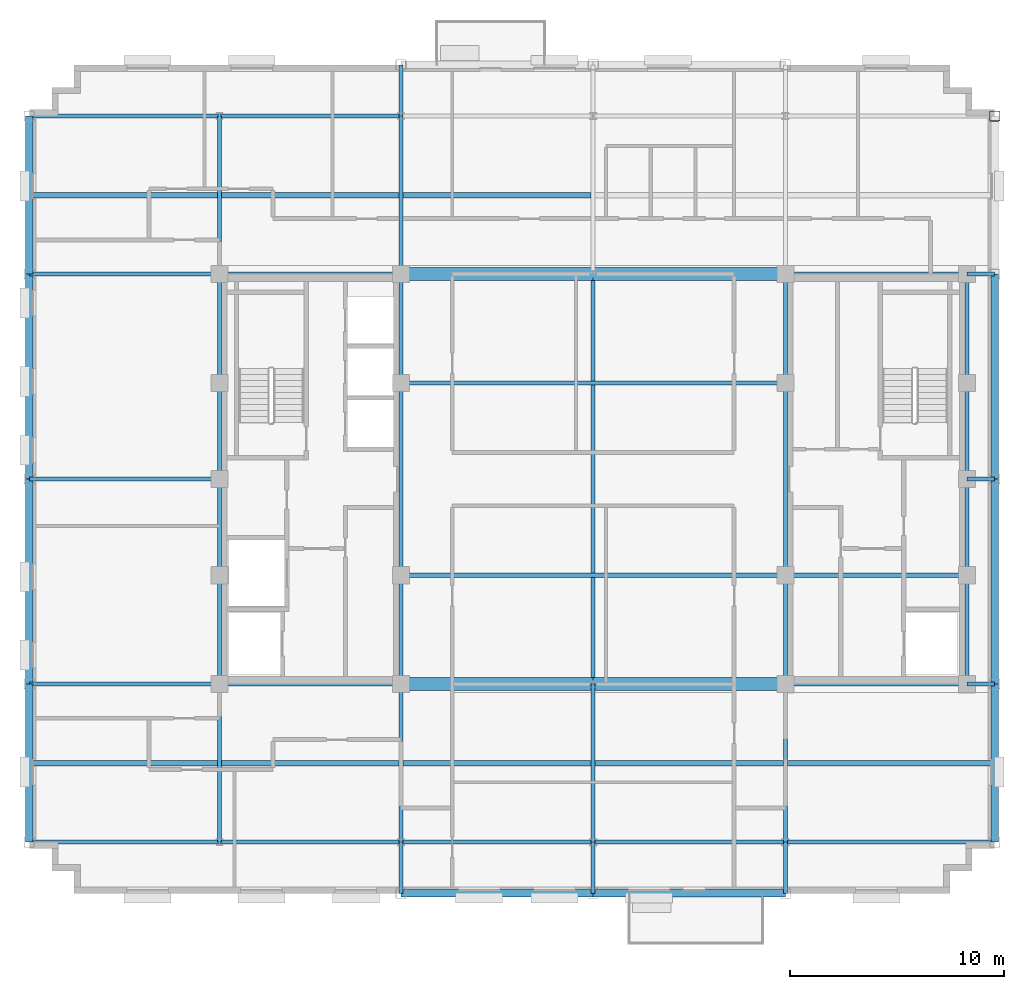
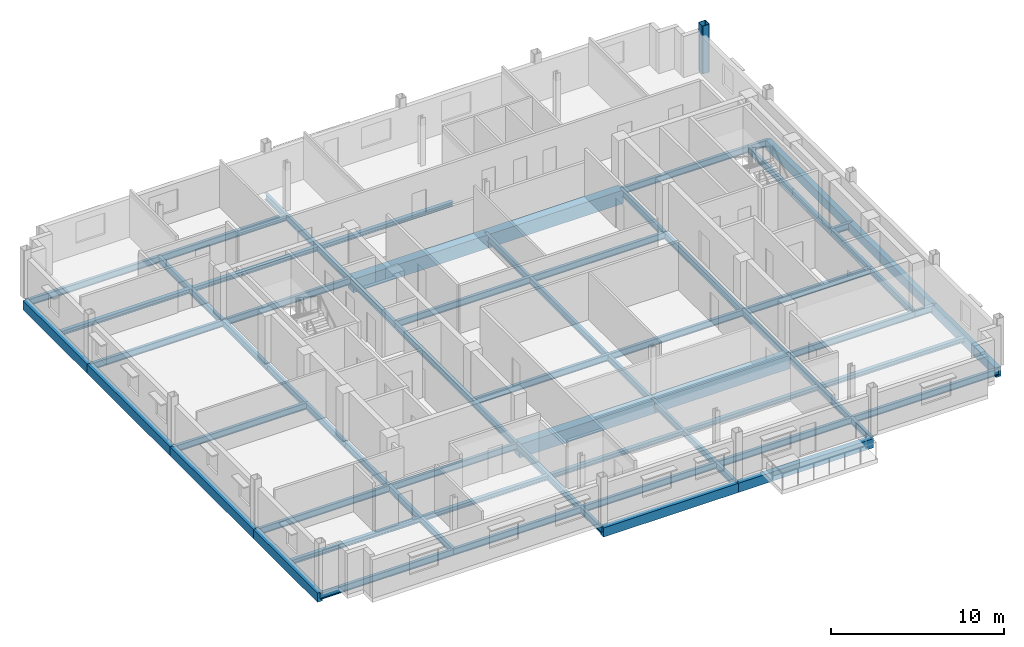
# One storey, part 4 of 13: 66 beams, 1 column.
"""IFC4 building model written with IfcOpenShell, lengths in metres."""

from ifc_helpers import new_model, si_unit, direction, frame, origin, origin_2d, place, context, subcontext, project, spatial, rectangle, hollow_rectangle, i_section, extrude, material, material_profile, profile_set, type_object, element, save


model = new_model("IFC4")

# Units and contexts
model_context = context("Model", 3, precision=1e-05, world=origin(), true_north=direction((0.0, 1.0)))
body_context = subcontext(model_context, "Body", "Model", "MODEL_VIEW")
ifc_project = project(units=[si_unit("LENGTHUNIT", "METRE"), si_unit("AREAUNIT", "SQUARE_METRE"), si_unit("VOLUMEUNIT", "CUBIC_METRE"), si_unit("PLANEANGLEUNIT", "RADIAN"), si_unit("MASSUNIT", "GRAM", prefix="KILO")], contexts=[model_context])

# Site, building, storey
site_placement = place(None, origin())
site = spatial("IfcSite", under=ifc_project, at=site_placement, CompositionType="ELEMENT")
building_placement = place(site_placement, origin())
building = spatial("IfcBuilding", under=site, at=building_placement, Name="Nuvemarco Arch Tower", CompositionType="ELEMENT")
storey_placement = place(building_placement, frame((0.0, 0.0, 231.050048828125)))
storey = spatial("IfcBuildingStorey", under=building, at=storey_placement, Name="L61", CompositionType="ELEMENT", Elevation=231.050048828125)

# Column
ifc_material_1 = material(Name="Steel S355", Category="steel")
ifc_material_profile_1 = material_profile(ifc_material_1, hollow_rectangle(XDim=0.5, YDim=0.5, WallThickness=0.031982421875, InnerFilletRadius=0.031982421875, OuterFilletRadius=0.06396484375, at=origin_2d()), Name="SHS500x500x32")
ifc_profile_set_1 = profile_set([ifc_material_profile_1], Name="Steel S355")
column_type = type_object("IfcColumnType", Name="COL-EXO-500", PredefinedType="COLUMN", material=ifc_profile_set_1)
column_placement = place(storey_placement, frame((18.800048828125, 17.0, 0.0), z_axis=(0.0, 0.0, 1.0), x_axis=(1.0, 0.0, 0.0)))
element("IfcColumn", 1, at=column_placement, inside=storey, type_object=column_type, Name="L61 column CX_+18.8_+17.0", PredefinedType="COLUMN", context=body_context, shape_type="SweptSolid", body=[
    extrude(hollow_rectangle(XDim=0.5, YDim=0.5, WallThickness=0.031982421875, InnerFilletRadius=0.031982421875, OuterFilletRadius=0.06396484375, at=origin_2d()), origin(), (0.0, 0.0, 1.0), 3.369873046875),
])

# Beams
ifc_material_2 = material(Name="Concrete C60/75", Category="concrete")
ifc_material_profile_2 = material_profile(ifc_material_2, rectangle(XDim=0.60009765625, YDim=0.949951171875, at=origin_2d()), Name="RC-BM-600x950")
ifc_profile_set_2 = profile_set([ifc_material_profile_2], Name="Concrete C60/75")
beam_type_1 = type_object("IfcBeamType", Name="BM-COUP-RC", PredefinedType="LINTEL", material=ifc_profile_set_2)
for number, where, z_axis, x_axis, name in (
    (2, (-9.0, -9.60009765625, -0.755126953125), (1.0, 0.0, 0.0), (0.0, 1.0, 0.0), "L61 structural beam BGEW_L61_0_-9.6_-9.0"),
    (3, (0.0, -9.60009765625, -0.755126953125), (1.0, 0.0, 0.0), (0.0, 1.0, 0.0), "L61 structural beam BGEW_L61_0_-9.6_+0.0"),
    (4, (-9.0, 9.60009765625, -0.755126953125), (1.0, 0.0, 0.0), (0.0, 1.0, 0.0), "L61 structural beam BGEW_L61_0_+9.6_-9.0"),
    (5, (0.0, 9.60009765625, -0.755126953125), (1.0, 0.0, 0.0), (0.0, 1.0, 0.0), "L61 structural beam BGEW_L61_0_+9.6_+0.0"),
):
    element("IfcBeam", number, at=place(storey_placement, frame(where, z_axis=z_axis, x_axis=x_axis)), inside=storey, type_object=beam_type_1, Name=name, PredefinedType="LINTEL", context=body_context, shape_type="SweptSolid", body=[
        extrude(rectangle(XDim=0.60009765625, YDim=0.949951171875, at=origin_2d()), origin(), (0.0, 0.0, 1.0), 9.0),
    ])
ifc_material_profile_3 = material_profile(ifc_material_1, i_section(OverallWidth=0.19189453125, OverallDepth=0.462890625, WebThickness=0.010498046875, FlangeThickness=0.017578125, FilletRadius=0.014892578125, at=origin_2d()), Name="W460x89")
ifc_profile_set_3 = profile_set([ifc_material_profile_3], Name="Steel S355")
beam_type_2 = type_object("IfcBeamType", Name="BM-GIRD-460", PredefinedType="BEAM", material=ifc_profile_set_3)
beam_1_placement = place(storey_placement, frame((-17.5, -17.0, -0.511474609375), z_axis=(0.0, 1.0, 0.0), x_axis=(-1.0, 0.0, 0.0)))
element("IfcBeam", 6, at=beam_1_placement, inside=storey, type_object=beam_type_2, Name="L61 structural beam BGNS_L61_0_-17.5_-17.0", PredefinedType="BEAM", context=body_context, shape_type="SweptSolid", body=[
    extrude(i_section(OverallWidth=0.19189453125, OverallDepth=0.462890625, WebThickness=0.010498046875, FlangeThickness=0.017578125, FilletRadius=0.014892578125, at=origin_2d()), origin(), (0.0, 0.0, 1.0), 7.39990234375),
])
beam_2_placement = place(storey_placement, frame((-17.5, -9.60009765625, -0.511474609375), z_axis=(0.0, 1.0, 0.0), x_axis=(-1.0, 0.0, 0.0)))
element("IfcBeam", 7, at=beam_2_placement, inside=storey, type_object=beam_type_2, Name="L61 structural beam BGNS_L61_0_-17.5_-9.6", PredefinedType="BEAM", context=body_context, shape_type="SweptSolid", body=[
    extrude(i_section(OverallWidth=0.19189453125, OverallDepth=0.462890625, WebThickness=0.010498046875, FlangeThickness=0.017578125, FilletRadius=0.014892578125, at=origin_2d()), origin(), (0.0, 0.0, 1.0), 5.10009765625),
])
for number, where, z_axis, x_axis, name in (
    (8, (-17.5, -4.5, -0.511474609375), (0.0, 1.0, 0.0), (-1.0, 0.0, 0.0), "L61 structural beam BGNS_L61_0_-17.5_-4.5"),
    (9, (-17.5, 0.0, -0.511474609375), (0.0, 1.0, 0.0), (-1.0, 0.0, 0.0), "L61 structural beam BGNS_L61_0_-17.5_+0.0"),
):
    element("IfcBeam", number, at=place(storey_placement, frame(where, z_axis=z_axis, x_axis=x_axis)), inside=storey, type_object=beam_type_2, Name=name, PredefinedType="BEAM", context=body_context, shape_type="SweptSolid", body=[
        extrude(i_section(OverallWidth=0.19189453125, OverallDepth=0.462890625, WebThickness=0.010498046875, FlangeThickness=0.017578125, FilletRadius=0.014892578125, at=origin_2d()), origin(), (0.0, 0.0, 1.0), 4.5),
    ])
beam_3_placement = place(storey_placement, frame((-17.5, 4.5, -0.511474609375), z_axis=(0.0, 1.0, 0.0), x_axis=(-1.0, 0.0, 0.0)))
element("IfcBeam", 10, at=beam_3_placement, inside=storey, type_object=beam_type_2, Name="L61 structural beam BGNS_L61_0_-17.5_+4.5", PredefinedType="BEAM", context=body_context, shape_type="SweptSolid", body=[
    extrude(i_section(OverallWidth=0.19189453125, OverallDepth=0.462890625, WebThickness=0.010498046875, FlangeThickness=0.017578125, FilletRadius=0.014892578125, at=origin_2d()), origin(), (0.0, 0.0, 1.0), 5.10009765625),
])
beam_4_placement = place(storey_placement, frame((-17.5, 9.60009765625, -0.511474609375), z_axis=(0.0, 1.0, 0.0), x_axis=(-1.0, 0.0, 0.0)))
element("IfcBeam", 11, at=beam_4_placement, inside=storey, type_object=beam_type_2, Name="L61 structural beam BGNS_L61_0_-17.5_+9.6", PredefinedType="BEAM", context=body_context, shape_type="SweptSolid", body=[
    extrude(i_section(OverallWidth=0.19189453125, OverallDepth=0.462890625, WebThickness=0.010498046875, FlangeThickness=0.017578125, FilletRadius=0.014892578125, at=origin_2d()), origin(), (0.0, 0.0, 1.0), 7.39990234375),
])
beam_5_placement = place(storey_placement, frame((-9.0, -19.39990234375, -0.511474609375), z_axis=(0.0, 1.0, 0.0), x_axis=(-1.0, 0.0, 0.0)))
element("IfcBeam", 12, at=beam_5_placement, inside=storey, type_object=beam_type_2, Name="L61 structural beam BGNS_L61_0_-9.0_-19.4", PredefinedType="BEAM", context=body_context, shape_type="SweptSolid", body=[
    extrude(i_section(OverallWidth=0.19189453125, OverallDepth=0.462890625, WebThickness=0.010498046875, FlangeThickness=0.017578125, FilletRadius=0.014892578125, at=origin_2d()), origin(), (0.0, 0.0, 1.0), 2.39990234375),
])
beam_6_placement = place(storey_placement, frame((-9.0, -17.0, -0.511474609375), z_axis=(0.0, 1.0, 0.0), x_axis=(-1.0, 0.0, 0.0)))
element("IfcBeam", 13, at=beam_6_placement, inside=storey, type_object=beam_type_2, Name="L61 structural beam BGNS_L61_0_-9.0_-17.0", PredefinedType="BEAM", context=body_context, shape_type="SweptSolid", body=[
    extrude(i_section(OverallWidth=0.19189453125, OverallDepth=0.462890625, WebThickness=0.010498046875, FlangeThickness=0.017578125, FilletRadius=0.014892578125, at=origin_2d()), origin(), (0.0, 0.0, 1.0), 7.39990234375),
])
beam_7_placement = place(storey_placement, frame((-9.0, -9.60009765625, -0.511474609375), z_axis=(0.0, 1.0, 0.0), x_axis=(-1.0, 0.0, 0.0)))
element("IfcBeam", 14, at=beam_7_placement, inside=storey, type_object=beam_type_2, Name="L61 structural beam BGNS_L61_0_-9.0_-9.6", PredefinedType="BEAM", context=body_context, shape_type="SweptSolid", body=[
    extrude(i_section(OverallWidth=0.19189453125, OverallDepth=0.462890625, WebThickness=0.010498046875, FlangeThickness=0.017578125, FilletRadius=0.014892578125, at=origin_2d()), origin(), (0.0, 0.0, 1.0), 5.10009765625),
])
beam_8_placement = place(storey_placement, frame((-9.0, -4.5, -0.511474609375), z_axis=(0.0, 1.0, 0.0), x_axis=(-1.0, 0.0, 0.0)))
element("IfcBeam", 15, at=beam_8_placement, inside=storey, type_object=beam_type_2, Name="L61 structural beam BGNS_L61_0_-9.0_-4.5", PredefinedType="BEAM", context=body_context, shape_type="SweptSolid", body=[
    extrude(i_section(OverallWidth=0.19189453125, OverallDepth=0.462890625, WebThickness=0.010498046875, FlangeThickness=0.017578125, FilletRadius=0.014892578125, at=origin_2d()), origin(), (0.0, 0.0, 1.0), 9.0),
])
beam_9_placement = place(storey_placement, frame((-9.0, 4.5, -0.511474609375), z_axis=(0.0, 1.0, 0.0), x_axis=(-1.0, 0.0, 0.0)))
element("IfcBeam", 16, at=beam_9_placement, inside=storey, type_object=beam_type_2, Name="L61 structural beam BGNS_L61_0_-9.0_+4.5", PredefinedType="BEAM", context=body_context, shape_type="SweptSolid", body=[
    extrude(i_section(OverallWidth=0.19189453125, OverallDepth=0.462890625, WebThickness=0.010498046875, FlangeThickness=0.017578125, FilletRadius=0.014892578125, at=origin_2d()), origin(), (0.0, 0.0, 1.0), 5.10009765625),
])
beam_10_placement = place(storey_placement, frame((-9.0, 9.60009765625, -0.511474609375), z_axis=(0.0, 1.0, 0.0), x_axis=(-1.0, 0.0, 0.0)))
element("IfcBeam", 17, at=beam_10_placement, inside=storey, type_object=beam_type_2, Name="L61 structural beam BGNS_L61_0_-9.0_+9.6", PredefinedType="BEAM", context=body_context, shape_type="SweptSolid", body=[
    extrude(i_section(OverallWidth=0.19189453125, OverallDepth=0.462890625, WebThickness=0.010498046875, FlangeThickness=0.017578125, FilletRadius=0.014892578125, at=origin_2d()), origin(), (0.0, 0.0, 1.0), 7.39990234375),
])
for number, where, z_axis, x_axis, name in (
    (18, (-9.0, 17.0, -0.511474609375), (0.0, 1.0, 0.0), (-1.0, 0.0, 0.0), "L61 structural beam BGNS_L61_0_-9.0_+17.0"),
    (19, (0.0, -19.39990234375, -0.511474609375), (0.0, 1.0, 0.0), (-1.0, 0.0, 0.0), "L61 structural beam BGNS_L61_0_+0.0_-19.4"),
):
    element("IfcBeam", number, at=place(storey_placement, frame(where, z_axis=z_axis, x_axis=x_axis)), inside=storey, type_object=beam_type_2, Name=name, PredefinedType="BEAM", context=body_context, shape_type="SweptSolid", body=[
        extrude(i_section(OverallWidth=0.19189453125, OverallDepth=0.462890625, WebThickness=0.010498046875, FlangeThickness=0.017578125, FilletRadius=0.014892578125, at=origin_2d()), origin(), (0.0, 0.0, 1.0), 2.39990234375),
    ])
beam_11_placement = place(storey_placement, frame((0.0, -17.0, -0.511474609375), z_axis=(0.0, 1.0, 0.0), x_axis=(-1.0, 0.0, 0.0)))
element("IfcBeam", 20, at=beam_11_placement, inside=storey, type_object=beam_type_2, Name="L61 structural beam BGNS_L61_0_+0.0_-17.0", PredefinedType="BEAM", context=body_context, shape_type="SweptSolid", body=[
    extrude(i_section(OverallWidth=0.19189453125, OverallDepth=0.462890625, WebThickness=0.010498046875, FlangeThickness=0.017578125, FilletRadius=0.014892578125, at=origin_2d()), origin(), (0.0, 0.0, 1.0), 7.39990234375),
])
beam_12_placement = place(storey_placement, frame((0.0, -9.60009765625, -0.511474609375), z_axis=(0.0, 1.0, 0.0), x_axis=(-1.0, 0.0, 0.0)))
element("IfcBeam", 21, at=beam_12_placement, inside=storey, type_object=beam_type_2, Name="L61 structural beam BGNS_L61_0_+0.0_-9.6", PredefinedType="BEAM", context=body_context, shape_type="SweptSolid", body=[
    extrude(i_section(OverallWidth=0.19189453125, OverallDepth=0.462890625, WebThickness=0.010498046875, FlangeThickness=0.017578125, FilletRadius=0.014892578125, at=origin_2d()), origin(), (0.0, 0.0, 1.0), 19.2001953125),
])
beam_13_placement = place(storey_placement, frame((9.0, -19.39990234375, -0.511474609375), z_axis=(0.0, 1.0, 0.0), x_axis=(-1.0, 0.0, 0.0)))
element("IfcBeam", 22, at=beam_13_placement, inside=storey, type_object=beam_type_2, Name="L61 structural beam BGNS_L61_0_+9.0_-19.4", PredefinedType="BEAM", context=body_context, shape_type="SweptSolid", body=[
    extrude(i_section(OverallWidth=0.19189453125, OverallDepth=0.462890625, WebThickness=0.010498046875, FlangeThickness=0.017578125, FilletRadius=0.014892578125, at=origin_2d()), origin(), (0.0, 0.0, 1.0), 2.39990234375),
])
beam_14_placement = place(storey_placement, frame((9.0, -17.0, -0.511474609375), z_axis=(0.0, 1.0, 0.0), x_axis=(-1.0, 0.0, 0.0)))
element("IfcBeam", 23, at=beam_14_placement, inside=storey, type_object=beam_type_2, Name="L61 structural beam BGNS_L61_0_+9.0_-17.0", PredefinedType="BEAM", context=body_context, shape_type="SweptSolid", body=[
    extrude(i_section(OverallWidth=0.19189453125, OverallDepth=0.462890625, WebThickness=0.010498046875, FlangeThickness=0.017578125, FilletRadius=0.014892578125, at=origin_2d()), origin(), (0.0, 0.0, 1.0), 7.39990234375),
])
beam_15_placement = place(storey_placement, frame((9.0, -9.60009765625, -0.511474609375), z_axis=(0.0, 1.0, 0.0), x_axis=(-1.0, 0.0, 0.0)))
element("IfcBeam", 24, at=beam_15_placement, inside=storey, type_object=beam_type_2, Name="L61 structural beam BGNS_L61_0_+9.0_-9.6", PredefinedType="BEAM", context=body_context, shape_type="SweptSolid", body=[
    extrude(i_section(OverallWidth=0.19189453125, OverallDepth=0.462890625, WebThickness=0.010498046875, FlangeThickness=0.017578125, FilletRadius=0.014892578125, at=origin_2d()), origin(), (0.0, 0.0, 1.0), 5.10009765625),
])
beam_16_placement = place(storey_placement, frame((9.0, -4.5, -0.511474609375), z_axis=(0.0, 1.0, 0.0), x_axis=(-1.0, 0.0, 0.0)))
element("IfcBeam", 25, at=beam_16_placement, inside=storey, type_object=beam_type_2, Name="L61 structural beam BGNS_L61_0_+9.0_-4.5", PredefinedType="BEAM", context=body_context, shape_type="SweptSolid", body=[
    extrude(i_section(OverallWidth=0.19189453125, OverallDepth=0.462890625, WebThickness=0.010498046875, FlangeThickness=0.017578125, FilletRadius=0.014892578125, at=origin_2d()), origin(), (0.0, 0.0, 1.0), 9.0),
])
for number, where, z_axis, x_axis, name in (
    (26, (9.0, 4.5, -0.511474609375), (0.0, 1.0, 0.0), (-1.0, 0.0, 0.0), "L61 structural beam BGNS_L61_0_+9.0_+4.5"),
    (27, (17.5, -9.60009765625, -0.511474609375), (0.0, 1.0, 0.0), (-1.0, 0.0, 0.0), "L61 structural beam BGNS_L61_0_+17.5_-9.6"),
):
    element("IfcBeam", number, at=place(storey_placement, frame(where, z_axis=z_axis, x_axis=x_axis)), inside=storey, type_object=beam_type_2, Name=name, PredefinedType="BEAM", context=body_context, shape_type="SweptSolid", body=[
        extrude(i_section(OverallWidth=0.19189453125, OverallDepth=0.462890625, WebThickness=0.010498046875, FlangeThickness=0.017578125, FilletRadius=0.014892578125, at=origin_2d()), origin(), (0.0, 0.0, 1.0), 5.10009765625),
    ])
for number, where, z_axis, x_axis, name in (
    (28, (17.5, -4.5, -0.511474609375), (0.0, 1.0, 0.0), (-1.0, 0.0, 0.0), "L61 structural beam BGNS_L61_0_+17.5_-4.5"),
    (29, (17.5, 0.0, -0.511474609375), (0.0, 1.0, 0.0), (-1.0, 0.0, 0.0), "L61 structural beam BGNS_L61_0_+17.5_+0.0"),
):
    element("IfcBeam", number, at=place(storey_placement, frame(where, z_axis=z_axis, x_axis=x_axis)), inside=storey, type_object=beam_type_2, Name=name, PredefinedType="BEAM", context=body_context, shape_type="SweptSolid", body=[
        extrude(i_section(OverallWidth=0.19189453125, OverallDepth=0.462890625, WebThickness=0.010498046875, FlangeThickness=0.017578125, FilletRadius=0.014892578125, at=origin_2d()), origin(), (0.0, 0.0, 1.0), 4.5),
    ])
beam_17_placement = place(storey_placement, frame((17.5, 4.5, -0.511474609375), z_axis=(0.0, 1.0, 0.0), x_axis=(-1.0, 0.0, 0.0)))
element("IfcBeam", 30, at=beam_17_placement, inside=storey, type_object=beam_type_2, Name="L61 structural beam BGNS_L61_0_+17.5_+4.5", PredefinedType="BEAM", context=body_context, shape_type="SweptSolid", body=[
    extrude(i_section(OverallWidth=0.19189453125, OverallDepth=0.462890625, WebThickness=0.010498046875, FlangeThickness=0.017578125, FilletRadius=0.014892578125, at=origin_2d()), origin(), (0.0, 0.0, 1.0), 5.10009765625),
])
beam_18_placement = place(storey_placement, frame((-26.39990234375, -17.0, -0.511474609375), z_axis=(1.0, 0.0, 0.0), x_axis=(0.0, 1.0, 0.0)))
element("IfcBeam", 31, at=beam_18_placement, inside=storey, type_object=beam_type_2, Name="L61 structural beam BGEW_L61_0_-17.0_-26.4", PredefinedType="BEAM", context=body_context, shape_type="SweptSolid", body=[
    extrude(i_section(OverallWidth=0.19189453125, OverallDepth=0.462890625, WebThickness=0.010498046875, FlangeThickness=0.017578125, FilletRadius=0.014892578125, at=origin_2d()), origin(), (0.0, 0.0, 1.0), 8.89990234375),
])
beam_19_placement = place(storey_placement, frame((-17.5, -17.0, -0.511474609375), z_axis=(1.0, 0.0, 0.0), x_axis=(0.0, 1.0, 0.0)))
element("IfcBeam", 32, at=beam_19_placement, inside=storey, type_object=beam_type_2, Name="L61 structural beam BGEW_L61_0_-17.0_-17.5", PredefinedType="BEAM", context=body_context, shape_type="SweptSolid", body=[
    extrude(i_section(OverallWidth=0.19189453125, OverallDepth=0.462890625, WebThickness=0.010498046875, FlangeThickness=0.017578125, FilletRadius=0.014892578125, at=origin_2d()), origin(), (0.0, 0.0, 1.0), 8.5),
])
for number, where, z_axis, x_axis, name in (
    (33, (-9.0, -17.0, -0.511474609375), (1.0, 0.0, 0.0), (0.0, 1.0, 0.0), "L61 structural beam BGEW_L61_0_-17.0_-9.0"),
    (34, (0.0, -17.0, -0.511474609375), (1.0, 0.0, 0.0), (0.0, 1.0, 0.0), "L61 structural beam BGEW_L61_0_-17.0_+0.0"),
):
    element("IfcBeam", number, at=place(storey_placement, frame(where, z_axis=z_axis, x_axis=x_axis)), inside=storey, type_object=beam_type_2, Name=name, PredefinedType="BEAM", context=body_context, shape_type="SweptSolid", body=[
        extrude(i_section(OverallWidth=0.19189453125, OverallDepth=0.462890625, WebThickness=0.010498046875, FlangeThickness=0.017578125, FilletRadius=0.014892578125, at=origin_2d()), origin(), (0.0, 0.0, 1.0), 9.0),
    ])
beam_20_placement = place(storey_placement, frame((9.0, -17.0, -0.511474609375), z_axis=(1.0, 0.0, 0.0), x_axis=(0.0, 1.0, 0.0)))
element("IfcBeam", 35, at=beam_20_placement, inside=storey, type_object=beam_type_2, Name="L61 structural beam BGEW_L61_0_-17.0_+9.0", PredefinedType="BEAM", context=body_context, shape_type="SweptSolid", body=[
    extrude(i_section(OverallWidth=0.19189453125, OverallDepth=0.462890625, WebThickness=0.010498046875, FlangeThickness=0.017578125, FilletRadius=0.014892578125, at=origin_2d()), origin(), (0.0, 0.0, 1.0), 9.800048828125),
])
beam_21_placement = place(storey_placement, frame((-26.39990234375, -9.60009765625, -0.511474609375), z_axis=(1.0, 0.0, 0.0), x_axis=(0.0, 1.0, 0.0)))
element("IfcBeam", 36, at=beam_21_placement, inside=storey, type_object=beam_type_2, Name="L61 structural beam BGEW_L61_0_-9.6_-26.4", PredefinedType="BEAM", context=body_context, shape_type="SweptSolid", body=[
    extrude(i_section(OverallWidth=0.19189453125, OverallDepth=0.462890625, WebThickness=0.010498046875, FlangeThickness=0.017578125, FilletRadius=0.014892578125, at=origin_2d()), origin(), (0.0, 0.0, 1.0), 8.89990234375),
])
for number, where, z_axis, x_axis, name in (
    (37, (-17.5, -9.60009765625, -0.511474609375), (1.0, 0.0, 0.0), (0.0, 1.0, 0.0), "L61 structural beam BGEW_L61_0_-9.6_-17.5"),
    (38, (9.0, -9.60009765625, -0.511474609375), (1.0, 0.0, 0.0), (0.0, 1.0, 0.0), "L61 structural beam BGEW_L61_0_-9.6_+9.0"),
):
    element("IfcBeam", number, at=place(storey_placement, frame(where, z_axis=z_axis, x_axis=x_axis)), inside=storey, type_object=beam_type_2, Name=name, PredefinedType="BEAM", context=body_context, shape_type="SweptSolid", body=[
        extrude(i_section(OverallWidth=0.19189453125, OverallDepth=0.462890625, WebThickness=0.010498046875, FlangeThickness=0.017578125, FilletRadius=0.014892578125, at=origin_2d()), origin(), (0.0, 0.0, 1.0), 8.5),
    ])
beam_22_placement = place(storey_placement, frame((17.5, -9.60009765625, -0.511474609375), z_axis=(1.0, 0.0, 0.0), x_axis=(0.0, 1.0, 0.0)))
element("IfcBeam", 39, at=beam_22_placement, inside=storey, type_object=beam_type_2, Name="L61 structural beam BGEW_L61_0_-9.6_+17.5", PredefinedType="BEAM", context=body_context, shape_type="SweptSolid", body=[
    extrude(i_section(OverallWidth=0.19189453125, OverallDepth=0.462890625, WebThickness=0.010498046875, FlangeThickness=0.017578125, FilletRadius=0.014892578125, at=origin_2d()), origin(), (0.0, 0.0, 1.0), 1.300048828125),
])
beam_23_placement = place(storey_placement, frame((-9.0, -4.5, -0.511474609375), z_axis=(1.0, 0.0, 0.0), x_axis=(0.0, 1.0, 0.0)))
element("IfcBeam", 40, at=beam_23_placement, inside=storey, type_object=beam_type_2, Name="L61 structural beam BGEW_L61_0_-4.5_-9.0", PredefinedType="BEAM", context=body_context, shape_type="SweptSolid", body=[
    extrude(i_section(OverallWidth=0.19189453125, OverallDepth=0.462890625, WebThickness=0.010498046875, FlangeThickness=0.017578125, FilletRadius=0.014892578125, at=origin_2d()), origin(), (0.0, 0.0, 1.0), 18.0),
])
beam_24_placement = place(storey_placement, frame((9.0, -4.5, -0.511474609375), z_axis=(1.0, 0.0, 0.0), x_axis=(0.0, 1.0, 0.0)))
element("IfcBeam", 41, at=beam_24_placement, inside=storey, type_object=beam_type_2, Name="L61 structural beam BGEW_L61_0_-4.5_+9.0", PredefinedType="BEAM", context=body_context, shape_type="SweptSolid", body=[
    extrude(i_section(OverallWidth=0.19189453125, OverallDepth=0.462890625, WebThickness=0.010498046875, FlangeThickness=0.017578125, FilletRadius=0.014892578125, at=origin_2d()), origin(), (0.0, 0.0, 1.0), 8.5),
])
beam_25_placement = place(storey_placement, frame((-26.39990234375, 0.0, -0.511474609375), z_axis=(1.0, 0.0, 0.0), x_axis=(0.0, 1.0, 0.0)))
element("IfcBeam", 42, at=beam_25_placement, inside=storey, type_object=beam_type_2, Name="L61 structural beam BGEW_L61_0_+0.0_-26.4", PredefinedType="BEAM", context=body_context, shape_type="SweptSolid", body=[
    extrude(i_section(OverallWidth=0.19189453125, OverallDepth=0.462890625, WebThickness=0.010498046875, FlangeThickness=0.017578125, FilletRadius=0.014892578125, at=origin_2d()), origin(), (0.0, 0.0, 1.0), 8.89990234375),
])
beam_26_placement = place(storey_placement, frame((17.5, 0.0, -0.511474609375), z_axis=(1.0, 0.0, 0.0), x_axis=(0.0, 1.0, 0.0)))
element("IfcBeam", 43, at=beam_26_placement, inside=storey, type_object=beam_type_2, Name="L61 structural beam BGEW_L61_0_+0.0_+17.5", PredefinedType="BEAM", context=body_context, shape_type="SweptSolid", body=[
    extrude(i_section(OverallWidth=0.19189453125, OverallDepth=0.462890625, WebThickness=0.010498046875, FlangeThickness=0.017578125, FilletRadius=0.014892578125, at=origin_2d()), origin(), (0.0, 0.0, 1.0), 1.300048828125),
])
beam_27_placement = place(storey_placement, frame((-9.0, 4.5, -0.511474609375), z_axis=(1.0, 0.0, 0.0), x_axis=(0.0, 1.0, 0.0)))
element("IfcBeam", 44, at=beam_27_placement, inside=storey, type_object=beam_type_2, Name="L61 structural beam BGEW_L61_0_+4.5_-9.0", PredefinedType="BEAM", context=body_context, shape_type="SweptSolid", body=[
    extrude(i_section(OverallWidth=0.19189453125, OverallDepth=0.462890625, WebThickness=0.010498046875, FlangeThickness=0.017578125, FilletRadius=0.014892578125, at=origin_2d()), origin(), (0.0, 0.0, 1.0), 18.0),
])
beam_28_placement = place(storey_placement, frame((-26.39990234375, 9.60009765625, -0.511474609375), z_axis=(1.0, 0.0, 0.0), x_axis=(0.0, 1.0, 0.0)))
element("IfcBeam", 45, at=beam_28_placement, inside=storey, type_object=beam_type_2, Name="L61 structural beam BGEW_L61_0_+9.6_-26.4", PredefinedType="BEAM", context=body_context, shape_type="SweptSolid", body=[
    extrude(i_section(OverallWidth=0.19189453125, OverallDepth=0.462890625, WebThickness=0.010498046875, FlangeThickness=0.017578125, FilletRadius=0.014892578125, at=origin_2d()), origin(), (0.0, 0.0, 1.0), 8.89990234375),
])
for number, where, z_axis, x_axis, name in (
    (46, (-17.5, 9.60009765625, -0.511474609375), (1.0, 0.0, 0.0), (0.0, 1.0, 0.0), "L61 structural beam BGEW_L61_0_+9.6_-17.5"),
    (47, (9.0, 9.60009765625, -0.511474609375), (1.0, 0.0, 0.0), (0.0, 1.0, 0.0), "L61 structural beam BGEW_L61_0_+9.6_+9.0"),
):
    element("IfcBeam", number, at=place(storey_placement, frame(where, z_axis=z_axis, x_axis=x_axis)), inside=storey, type_object=beam_type_2, Name=name, PredefinedType="BEAM", context=body_context, shape_type="SweptSolid", body=[
        extrude(i_section(OverallWidth=0.19189453125, OverallDepth=0.462890625, WebThickness=0.010498046875, FlangeThickness=0.017578125, FilletRadius=0.014892578125, at=origin_2d()), origin(), (0.0, 0.0, 1.0), 8.5),
    ])
beam_29_placement = place(storey_placement, frame((17.5, 9.60009765625, -0.511474609375), z_axis=(1.0, 0.0, 0.0), x_axis=(0.0, 1.0, 0.0)))
element("IfcBeam", 48, at=beam_29_placement, inside=storey, type_object=beam_type_2, Name="L61 structural beam BGEW_L61_0_+9.6_+17.5", PredefinedType="BEAM", context=body_context, shape_type="SweptSolid", body=[
    extrude(i_section(OverallWidth=0.19189453125, OverallDepth=0.462890625, WebThickness=0.010498046875, FlangeThickness=0.017578125, FilletRadius=0.014892578125, at=origin_2d()), origin(), (0.0, 0.0, 1.0), 1.300048828125),
])
beam_30_placement = place(storey_placement, frame((-26.39990234375, 17.0, -0.511474609375), z_axis=(1.0, 0.0, 0.0), x_axis=(0.0, 1.0, 0.0)))
element("IfcBeam", 49, at=beam_30_placement, inside=storey, type_object=beam_type_2, Name="L61 structural beam BGEW_L61_0_+17.0_-26.4", PredefinedType="BEAM", context=body_context, shape_type="SweptSolid", body=[
    extrude(i_section(OverallWidth=0.19189453125, OverallDepth=0.462890625, WebThickness=0.010498046875, FlangeThickness=0.017578125, FilletRadius=0.014892578125, at=origin_2d()), origin(), (0.0, 0.0, 1.0), 8.89990234375),
])
beam_31_placement = place(storey_placement, frame((-17.5, 17.0, -0.511474609375), z_axis=(1.0, 0.0, 0.0), x_axis=(0.0, 1.0, 0.0)))
element("IfcBeam", 50, at=beam_31_placement, inside=storey, type_object=beam_type_2, Name="L61 structural beam BGEW_L61_0_+17.0_-17.5", PredefinedType="BEAM", context=body_context, shape_type="SweptSolid", body=[
    extrude(i_section(OverallWidth=0.19189453125, OverallDepth=0.462890625, WebThickness=0.010498046875, FlangeThickness=0.017578125, FilletRadius=0.014892578125, at=origin_2d()), origin(), (0.0, 0.0, 1.0), 8.5),
])
ifc_material_profile_4 = material_profile(ifc_material_1, i_section(OverallWidth=0.25390625, OverallDepth=0.305908203125, WebThickness=0.0087890625, FlangeThickness=0.0146484375, FilletRadius=0.014892578125, at=origin_2d()), Name="W310x79")
ifc_profile_set_4 = profile_set([ifc_material_profile_4], Name="Steel S355")
beam_type_3 = type_object("IfcBeamType", Name="BM-JOIST-310H", PredefinedType="JOIST", material=ifc_profile_set_4)
beam_32_placement = place(storey_placement, frame((-26.22509765625, -13.300048828125, -0.43310546875), z_axis=(1.0, 0.0, 0.0), x_axis=(0.0, 1.0, 0.0)))
element("IfcBeam", 51, at=beam_32_placement, inside=storey, type_object=beam_type_3, Name="L61 structural beam BJ_L61_0_-13.3_-26.4", PredefinedType="JOIST", context=body_context, shape_type="SweptSolid", body=[
    extrude(i_section(OverallWidth=0.25390625, OverallDepth=0.305908203125, WebThickness=0.0087890625, FlangeThickness=0.0146484375, FilletRadius=0.014892578125, at=origin_2d()), origin(), (0.0, 0.0, 1.0), 8.629150390625),
])
beam_33_placement = place(storey_placement, frame((-17.404052734375, -13.300048828125, -0.43310546875), z_axis=(1.0, 0.0, 0.0), x_axis=(0.0, 1.0, 0.0)))
element("IfcBeam", 52, at=beam_33_placement, inside=storey, type_object=beam_type_3, Name="L61 structural beam BJ_L61_0_-13.3_-17.5", PredefinedType="JOIST", context=body_context, shape_type="SweptSolid", body=[
    extrude(i_section(OverallWidth=0.25390625, OverallDepth=0.305908203125, WebThickness=0.0087890625, FlangeThickness=0.0146484375, FilletRadius=0.014892578125, at=origin_2d()), origin(), (0.0, 0.0, 1.0), 8.30810546875),
])
for number, where, z_axis, x_axis, name in (
    (53, (-8.904052734375, -13.300048828125, -0.43310546875), (1.0, 0.0, 0.0), (0.0, 1.0, 0.0), "L61 structural beam BJ_L61_0_-13.3_-9.0"),
    (54, (0.095947265625, -13.300048828125, -0.43310546875), (1.0, 0.0, 0.0), (0.0, 1.0, 0.0), "L61 structural beam BJ_L61_0_-13.3_+0.0"),
):
    element("IfcBeam", number, at=place(storey_placement, frame(where, z_axis=z_axis, x_axis=x_axis)), inside=storey, type_object=beam_type_3, Name=name, PredefinedType="JOIST", context=body_context, shape_type="SweptSolid", body=[
        extrude(i_section(OverallWidth=0.25390625, OverallDepth=0.305908203125, WebThickness=0.0087890625, FlangeThickness=0.0146484375, FilletRadius=0.014892578125, at=origin_2d()), origin(), (0.0, 0.0, 1.0), 8.80810546875),
    ])
beam_34_placement = place(storey_placement, frame((9.095947265625, -13.300048828125, -0.43310546875), z_axis=(1.0, 0.0, 0.0), x_axis=(0.0, 1.0, 0.0)))
element("IfcBeam", 55, at=beam_34_placement, inside=storey, type_object=beam_type_3, Name="L61 structural beam BJ_L61_0_-13.3_+9.0", PredefinedType="JOIST", context=body_context, shape_type="SweptSolid", body=[
    extrude(i_section(OverallWidth=0.25390625, OverallDepth=0.305908203125, WebThickness=0.0087890625, FlangeThickness=0.0146484375, FilletRadius=0.014892578125, at=origin_2d()), origin(), (0.0, 0.0, 1.0), 9.529052734375),
])
beam_35_placement = place(storey_placement, frame((-26.22509765625, 13.300048828125, -0.43310546875), z_axis=(1.0, 0.0, 0.0), x_axis=(0.0, 1.0, 0.0)))
element("IfcBeam", 56, at=beam_35_placement, inside=storey, type_object=beam_type_3, Name="L61 structural beam BJ_L61_0_+13.3_-26.4", PredefinedType="JOIST", context=body_context, shape_type="SweptSolid", body=[
    extrude(i_section(OverallWidth=0.25390625, OverallDepth=0.305908203125, WebThickness=0.0087890625, FlangeThickness=0.0146484375, FilletRadius=0.014892578125, at=origin_2d()), origin(), (0.0, 0.0, 1.0), 8.629150390625),
])
beam_36_placement = place(storey_placement, frame((-17.404052734375, 13.300048828125, -0.43310546875), z_axis=(1.0, 0.0, 0.0), x_axis=(0.0, 1.0, 0.0)))
element("IfcBeam", 57, at=beam_36_placement, inside=storey, type_object=beam_type_3, Name="L61 structural beam BJ_L61_0_+13.3_-17.5", PredefinedType="JOIST", context=body_context, shape_type="SweptSolid", body=[
    extrude(i_section(OverallWidth=0.25390625, OverallDepth=0.305908203125, WebThickness=0.0087890625, FlangeThickness=0.0146484375, FilletRadius=0.014892578125, at=origin_2d()), origin(), (0.0, 0.0, 1.0), 8.30810546875),
])
beam_37_placement = place(storey_placement, frame((-8.904052734375, 13.300048828125, -0.43310546875), z_axis=(1.0, 0.0, 0.0), x_axis=(0.0, 1.0, 0.0)))
element("IfcBeam", 58, at=beam_37_placement, inside=storey, type_object=beam_type_3, Name="L61 structural beam BJ_L61_0_+13.3_-9.0", PredefinedType="JOIST", context=body_context, shape_type="SweptSolid", body=[
    extrude(i_section(OverallWidth=0.25390625, OverallDepth=0.305908203125, WebThickness=0.0087890625, FlangeThickness=0.0146484375, FilletRadius=0.014892578125, at=origin_2d()), origin(), (0.0, 0.0, 1.0), 8.80810546875),
])
ifc_material_3 = material(Name="Precast concrete C45/55", Category="concrete")
ifc_material_profile_5 = material_profile(ifc_material_3, rectangle(XDim=0.35009765625, YDim=0.64990234375, at=origin_2d()), Name="PC-SP-350x650")
ifc_profile_set_5 = profile_set([ifc_material_profile_5], Name="Precast concrete C45/55")
beam_type_4 = type_object("IfcBeamType", Name="BM-SPAN-RC", PredefinedType="SPANDREL", material=ifc_profile_set_5)
beam_38_placement = place(storey_placement, frame((-26.39990234375, -17.0, -0.60498046875), z_axis=(0.0, 1.0, 0.0), x_axis=(-1.0, 0.0, 0.0)))
element("IfcBeam", 59, at=beam_38_placement, inside=storey, type_object=beam_type_4, Name="L61 structural beam BGNS_L61_0_-26.4_-17.0", PredefinedType="SPANDREL", context=body_context, shape_type="SweptSolid", body=[
    extrude(rectangle(XDim=0.35009765625, YDim=0.64990234375, at=origin_2d()), origin(), (0.0, 0.0, 1.0), 7.39990234375),
])
for number, where, z_axis, x_axis, name in (
    (60, (-26.39990234375, -9.60009765625, -0.60498046875), (0.0, 1.0, 0.0), (-1.0, 0.0, 0.0), "L61 structural beam BGNS_L61_0_-26.4_-9.6"),
    (61, (-26.39990234375, 0.0, -0.60498046875), (0.0, 1.0, 0.0), (-1.0, 0.0, 0.0), "L61 structural beam BGNS_L61_0_-26.4_+0.0"),
):
    element("IfcBeam", number, at=place(storey_placement, frame(where, z_axis=z_axis, x_axis=x_axis)), inside=storey, type_object=beam_type_4, Name=name, PredefinedType="SPANDREL", context=body_context, shape_type="SweptSolid", body=[
        extrude(rectangle(XDim=0.35009765625, YDim=0.64990234375, at=origin_2d()), origin(), (0.0, 0.0, 1.0), 9.60009765625),
    ])
for number, where, z_axis, x_axis, name in (
    (62, (-26.39990234375, 9.60009765625, -0.60498046875), (0.0, 1.0, 0.0), (-1.0, 0.0, 0.0), "L61 structural beam BGNS_L61_0_-26.4_+9.6"),
    (63, (18.800048828125, -17.0, -0.60498046875), (0.0, 1.0, 0.0), (-1.0, 0.0, 0.0), "L61 structural beam BGNS_L61_0_+18.8_-17.0"),
):
    element("IfcBeam", number, at=place(storey_placement, frame(where, z_axis=z_axis, x_axis=x_axis)), inside=storey, type_object=beam_type_4, Name=name, PredefinedType="SPANDREL", context=body_context, shape_type="SweptSolid", body=[
        extrude(rectangle(XDim=0.35009765625, YDim=0.64990234375, at=origin_2d()), origin(), (0.0, 0.0, 1.0), 7.39990234375),
    ])
for number, where, z_axis, x_axis, name in (
    (64, (18.800048828125, -9.60009765625, -0.60498046875), (0.0, 1.0, 0.0), (-1.0, 0.0, 0.0), "L61 structural beam BGNS_L61_0_+18.8_-9.6"),
    (65, (18.800048828125, 0.0, -0.60498046875), (0.0, 1.0, 0.0), (-1.0, 0.0, 0.0), "L61 structural beam BGNS_L61_0_+18.8_+0.0"),
):
    element("IfcBeam", number, at=place(storey_placement, frame(where, z_axis=z_axis, x_axis=x_axis)), inside=storey, type_object=beam_type_4, Name=name, PredefinedType="SPANDREL", context=body_context, shape_type="SweptSolid", body=[
        extrude(rectangle(XDim=0.35009765625, YDim=0.64990234375, at=origin_2d()), origin(), (0.0, 0.0, 1.0), 9.60009765625),
    ])
for number, where, z_axis, x_axis, name in (
    (66, (-9.0, -19.39990234375, -0.60498046875), (1.0, 0.0, 0.0), (0.0, 1.0, 0.0), "L61 structural beam BGEW_L61_0_-19.4_-9.0"),
    (67, (0.0, -19.39990234375, -0.60498046875), (1.0, 0.0, 0.0), (0.0, 1.0, 0.0), "L61 structural beam BGEW_L61_0_-19.4_+0.0"),
):
    element("IfcBeam", number, at=place(storey_placement, frame(where, z_axis=z_axis, x_axis=x_axis)), inside=storey, type_object=beam_type_4, Name=name, PredefinedType="SPANDREL", context=body_context, shape_type="SweptSolid", body=[
        extrude(rectangle(XDim=0.35009765625, YDim=0.64990234375, at=origin_2d()), origin(), (0.0, 0.0, 1.0), 9.0),
    ])

save(model, "model.ifc")
